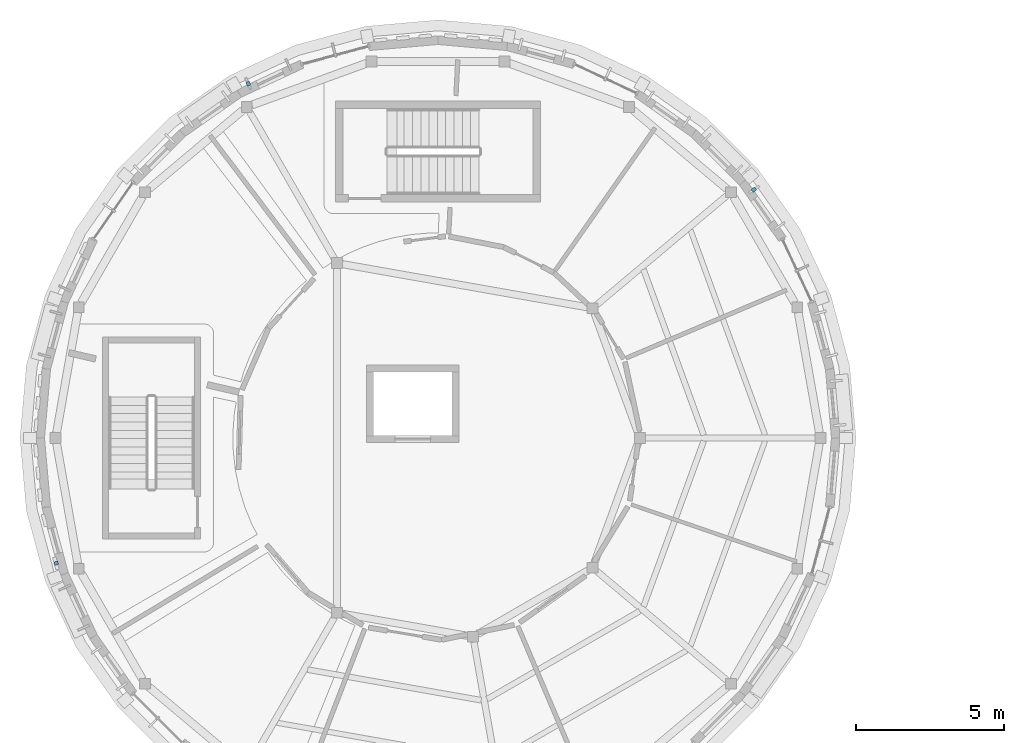
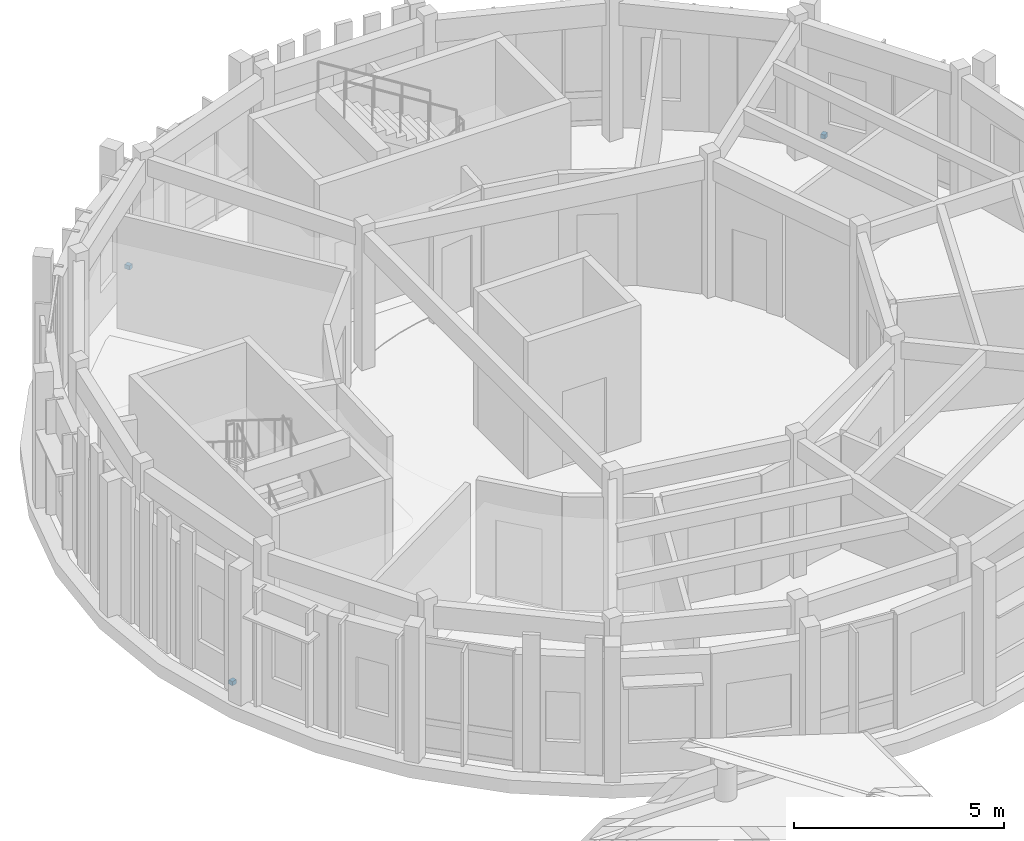
# One storey, part 47 of 58: 3 discrete accessories.
"""IFC4 building model written with IfcOpenShell, lengths in metres."""

from ifc_helpers import new_model, si_unit, direction, frame, origin, origin_2d, place, context, subcontext, project, spatial, rectangle, extrude, material, type_object, element, save


model = new_model("IFC4")

# Units and contexts
model_context = context("Model", 3, precision=1e-05, world=origin(), true_north=direction((0.0, 1.0)))
body_context = subcontext(model_context, "Body", "Model", "MODEL_VIEW")
ifc_project = project(units=[si_unit("LENGTHUNIT", "METRE"), si_unit("AREAUNIT", "SQUARE_METRE"), si_unit("VOLUMEUNIT", "CUBIC_METRE"), si_unit("PLANEANGLEUNIT", "RADIAN"), si_unit("MASSUNIT", "GRAM", prefix="KILO")], contexts=[model_context])

# Site, building, storey
site_placement = place(None, origin())
site = spatial("IfcSite", under=ifc_project, at=site_placement, CompositionType="ELEMENT")
building_placement = place(site_placement, origin())
building = spatial("IfcBuilding", under=site, at=building_placement, Name="Aldenvaro Health Centre", CompositionType="ELEMENT")
storey_placement = place(building_placement, frame((0.0, 0.0, 8.75)))
storey = spatial("IfcBuildingStorey", under=building, at=storey_placement, Name="L02", CompositionType="ELEMENT", Elevation=8.75)

# Discrete accessories
ifc_material = material(Name="Stainless Steel AISI 316", Category="steel")
discrete_accessory_type = type_object("IfcDiscreteAccessoryType", Name="ACC-BRK-01", PredefinedType="BRACKET", material=ifc_material)
for number, where, z_axis, x_axis, name in (
    (1, (5.639892578125, 95.280029296875, 0.18994140625), (0.0, 0.0, 1.0), (-0.258621935517, 0.965978620089, 0.0), "D4 L02 stainless fin bracket 17"),
    (2, (12.111083984375, 111.431884765625, 0.18994140625), (0.0, 0.0, 1.0), (0.90633620484, 0.422557314215, 0.0), "D4 L02 stainless fin bracket 25"),
    (3, (29.14111328125, 107.864013671875, 0.18994140625), (0.0, 0.0, 1.0), (0.573720929857, -0.819050849853, 0.0), "D4 L02 stainless fin bracket 33"),
):
    element("IfcDiscreteAccessory", number, at=place(storey_placement, frame(where, z_axis=z_axis, x_axis=x_axis)), inside=storey, type_object=discrete_accessory_type, Name=name, PredefinedType="BRACKET", context=body_context, shape_type="SweptSolid", body=[
        extrude(rectangle(XDim=0.1201171875, YDim=0.139892578125, at=origin_2d()), origin(), (0.0, 0.0, 1.0), 0.1201171875),
    ])

save(model, "model.ifc")
